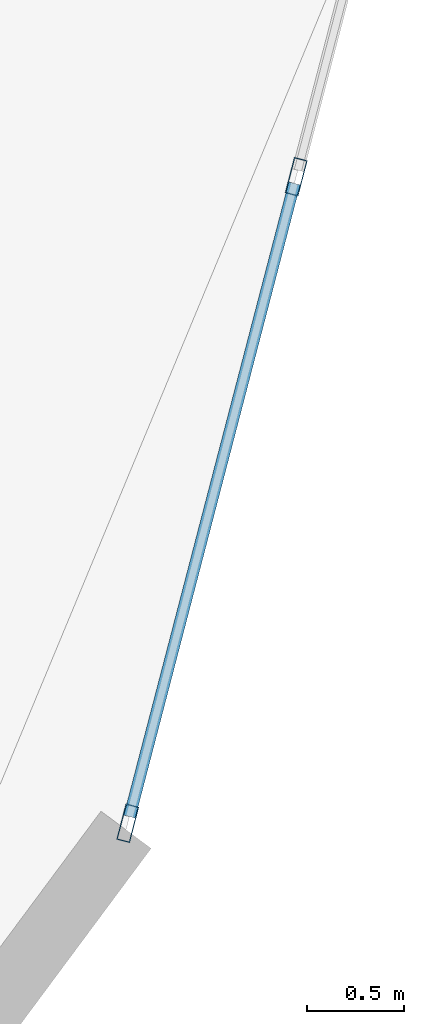
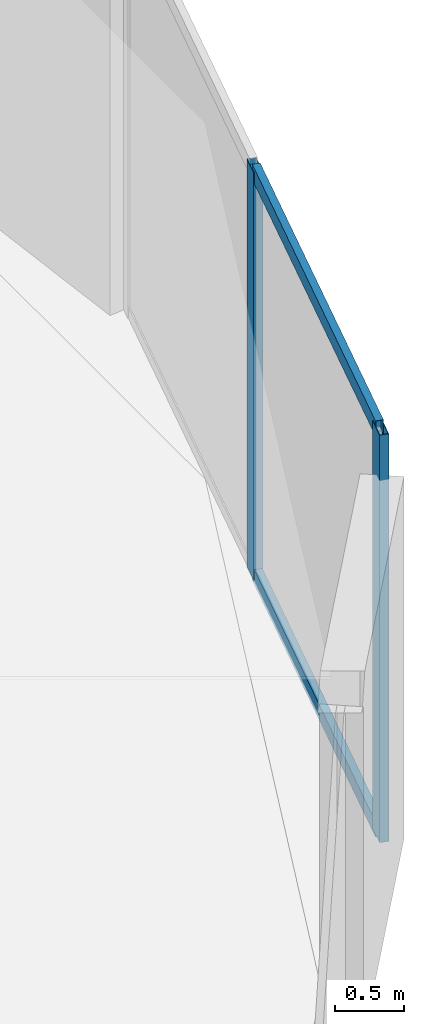
# One storey, part 9 of 24: 4 members, 1 element without a shape of its own.
"""IFC4 building model written with IfcOpenShell, lengths in metres."""

from ifc_helpers import new_model, si_unit, direction, frame, origin, origin_2d, place, context, subcontext, project, spatial, hollow_rectangle, extrude, source, transform, mapped, material, layer, layer_set, material_profile, profile_set, type_object, element, aggregate, save


model = new_model("IFC4")

# Units and contexts
model_context = context("Model", 3, precision=1e-05, world=origin(), true_north=direction((0.0, 1.0)))
body_context = subcontext(model_context, "Body", "Model", "MODEL_VIEW")
ifc_project = project(units=[si_unit("LENGTHUNIT", "METRE"), si_unit("AREAUNIT", "SQUARE_METRE"), si_unit("VOLUMEUNIT", "CUBIC_METRE"), si_unit("PLANEANGLEUNIT", "RADIAN"), si_unit("MASSUNIT", "GRAM", prefix="KILO")], contexts=[model_context])

# Site, building, storey
site_placement = place(None, origin())
site = spatial("IfcSite", under=ifc_project, at=site_placement, CompositionType="ELEMENT")
building_placement = place(site_placement, origin())
building = spatial("IfcBuilding", under=site, at=building_placement, Name="Solvirekh Grand Hotel", CompositionType="ELEMENT")
storey_placement = place(building_placement, frame((0.0, 0.0, 89.60009765625)))
storey = spatial("IfcBuildingStorey", under=building, at=storey_placement, Name="L22", CompositionType="ELEMENT", Elevation=89.60009765625)

# Curtain wall, members
ifc_material = material(Name="Anodized Bronze Aluminium 6063-T6", Category="aluminium")
ifc_layer = layer(ifc_material, 0.18994140625)
ifc_layer_set = layer_set([ifc_layer], Name="Anodized Bronze Aluminium 6063-T6")
curtain_wall_type = type_object("IfcCurtainWallType", Name="CW_Sys2_LowZoneFlushBronzeCW", PredefinedType="NOTDEFINED", material=ifc_layer_set)
curtain_wall_placement = place(storey_placement, origin())
curtain_wall = element("IfcCurtainWall", 1, at=curtain_wall_placement, inside=storey, type_object=curtain_wall_type, Name="L22 unitised bronze-glass curtain wall CW-L22-C01", PredefinedType="NOTDEFINED")
ifc_material_profile_1 = material_profile(ifc_material, hollow_rectangle(XDim=0.06005859375, YDim=0.135009765625, WallThickness=0.00390625, at=origin_2d()), Name="ALU RHS 135X60X4")
ifc_profile_set_1 = profile_set([ifc_material_profile_1], Name="Anodized Bronze Aluminium 6063-T6")
member_type_1 = type_object("IfcMemberType", Name="CWTransom_Sys2", PredefinedType="USERDEFINED", material=ifc_profile_set_1)
shared_shape_1 = source(origin(), body_context, "Body", "SweptSolid", [
    extrude(hollow_rectangle(XDim=0.06005859375, YDim=0.135009765625, WallThickness=0.00390625, at=origin_2d()), origin(), (0.0, 0.0, 1.0), 3.357666015625),
])
member_1_placement = place(storey_placement, frame((25.5166015625, -11.59814453125, 0.02978515625), z_axis=(0.252155501667, 0.967686727706, 0.0), x_axis=(-0.967686727706, 0.252155501667, 0.0)))
member_1 = element("IfcMember", 2, at=member_1_placement, type_object=member_type_1, Name="U02 transom 1.1", ObjectType="TRANSOM", PredefinedType="USERDEFINED", context=body_context, shape_type="MappedRepresentation", body=[
    mapped(shared_shape_1, transform((0.0, 0.0, 0.0), x_axis=(1.0, 0.0, 0.0), y_axis=(0.0, 1.0, 0.0), z_axis=(0.0, 0.0, 1.0), scale=1.0)),
])
member_2_placement = place(storey_placement, frame((25.5166015625, -11.59814453125, 3.56982421875), z_axis=(0.252155501667, 0.967686727706, 0.0), x_axis=(-0.967686727706, 0.252155501667, 0.0)))
member_2 = element("IfcMember", 3, at=member_2_placement, type_object=member_type_1, Name="U02 transom 1.2", ObjectType="TRANSOM", PredefinedType="USERDEFINED", context=body_context, shape_type="MappedRepresentation", body=[
    mapped(shared_shape_1, transform((0.0, 0.0, 0.0), x_axis=(1.0, 0.0, 0.0), y_axis=(0.0, 1.0, 0.0), z_axis=(0.0, 0.0, 1.0), scale=1.0)),
])
ifc_material_profile_2 = material_profile(ifc_material, hollow_rectangle(XDim=0.070068359375, YDim=0.18994140625, WallThickness=0.0048828125, at=origin_2d()), Name="ALU RHS 190X70X5")
ifc_profile_set_2 = profile_set([ifc_material_profile_2], Name="Anodized Bronze Aluminium 6063-T6")
member_type_2 = type_object("IfcMemberType", Name="CWMullion_Sys2", PredefinedType="MULLION", material=ifc_profile_set_2)
shared_shape_2 = source(origin(), body_context, "Body", "SweptSolid", [
    extrude(hollow_rectangle(XDim=0.070068359375, YDim=0.18994140625, WallThickness=0.0048828125, at=origin_2d()), origin(), (0.0, 0.0, 1.0), 3.599853515625),
])
member_3_placement = place(storey_placement, frame((25.5078125, -11.632080078125, 0.0), z_axis=(0.0, 0.0, 1.0), x_axis=(-0.967700020826, 0.252104481701, 0.0)))
member_3 = element("IfcMember", 4, at=member_3_placement, type_object=member_type_2, Name="U02 mullion 1", PredefinedType="MULLION", context=body_context, shape_type="MappedRepresentation", body=[
    mapped(shared_shape_2, transform((0.0, 0.0, 0.0), x_axis=(1.0, 0.0, 0.0), y_axis=(0.0, 1.0, 0.0), z_axis=(0.0, 0.0, 1.0), scale=1.0)),
])
member_4_placement = place(storey_placement, frame((26.3720703125, -8.31494140625, 0.0), z_axis=(0.0, 0.0, 1.0), x_axis=(-0.967700020826, 0.252104481701, 0.0)))
member_4 = element("IfcMember", 5, at=member_4_placement, type_object=member_type_2, Name="U02 mullion 2", PredefinedType="MULLION", context=body_context, shape_type="MappedRepresentation", body=[
    mapped(shared_shape_2, transform((0.0, 0.0, 0.0), x_axis=(1.0, 0.0, 0.0), y_axis=(0.0, 1.0, 0.0), z_axis=(0.0, 0.0, 1.0), scale=1.0)),
])
aggregate(curtain_wall, [member_3, member_4, member_1, member_2])

save(model, "model.ifc")
